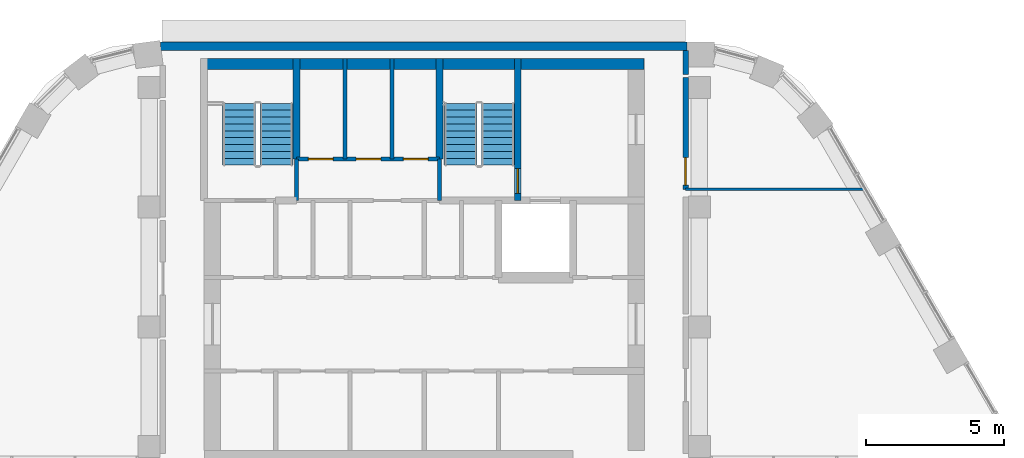
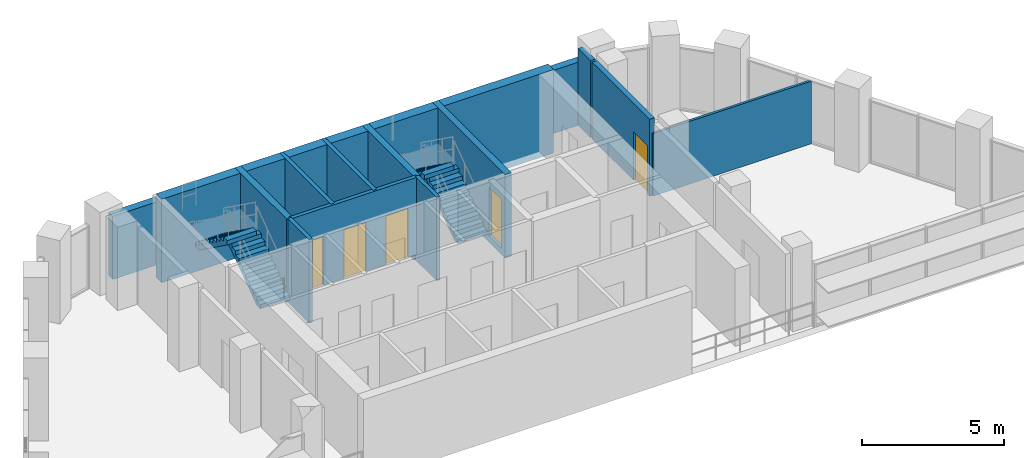
# One storey, part 8 of 10: 13 walls, 5 doors, 4 stair flights, 5 openings, 2 elements without a shape of their own.
"""IFC4 building model written with IfcOpenShell, lengths in metres."""

from ifc_helpers import new_model, si_unit, direction, frame, frame_2d, origin, place, context, subcontext, project, spatial, polyline, rectangle, outline, extrude, material, layer, layer_set, type_object, element, fill, aggregate, save


model = new_model("IFC4")

# Units and contexts
model_context = context("Model", 3, precision=1e-05, world=origin(), true_north=direction((0.0, 1.0)))
body_context = subcontext(model_context, "Body", "Model", "MODEL_VIEW")
ifc_project = project(units=[si_unit("LENGTHUNIT", "METRE"), si_unit("AREAUNIT", "SQUARE_METRE"), si_unit("VOLUMEUNIT", "CUBIC_METRE"), si_unit("PLANEANGLEUNIT", "RADIAN"), si_unit("MASSUNIT", "GRAM", prefix="KILO")], contexts=[model_context])

# Site, building, storey
site_placement = place(None, origin())
site = spatial("IfcSite", under=ifc_project, at=site_placement, CompositionType="ELEMENT")
building_placement = place(site_placement, origin())
building = spatial("IfcBuilding", under=site, at=building_placement, Name="Nakaniwa Court", CompositionType="ELEMENT")
storey_placement = place(building_placement, frame((0.0, 0.0, 290.39990234375)))
storey = spatial("IfcBuildingStorey", under=building, at=storey_placement, Name="C06", CompositionType="ELEMENT", Elevation=290.39990234375)

# Wall, opening, door
ifc_material_1 = material(Name="Acoustic double stud partition")
ifc_layer_1 = layer(ifc_material_1, 0.199951171875)
ifc_layer_set_1 = layer_set([ifc_layer_1], Name="Acoustic double stud partition")
wall_type_1 = type_object("IfcWallType", Name="Acoustic double stud partition 200", PredefinedType="PARTITIONING", material=ifc_layer_set_1)
wall_1_placement = place(storey_placement, frame((89.5, 101.363037109375, 0.0), z_axis=(0.0, 0.0, 1.0), x_axis=(0.0, -1.0, 0.0)))
wall_1 = element("IfcWall", 1, at=wall_1_placement, inside=storey, type_object=wall_type_1, Name="Partition PW-033", PredefinedType="PARTITIONING", context=body_context, shape_type="SweptSolid", body=[
    extrude(rectangle(XDim=4.06591796875, YDim=0.199951171875, at=frame_2d((2.032958984375, 0.0))), origin(), (0.0, 0.0, 1.0), 3.3251953125),
])
opening_1_placement = place(wall_1_placement, frame((2.9130859375, 0.0, 0.0)))
opening_1 = element("IfcOpeningElement", 2, at=opening_1_placement, cuts=wall_1, Name="Opening D-02-01", PredefinedType="OPENING", context=body_context, shape_type="SweptSolid", body=[
    extrude(rectangle(XDim=1.0, YDim=2.10009765625, at=frame_2d((0.5, 1.050048828125))), frame((0.0, 0.10986328125, 0.0), z_axis=(0.0, -1.0, 0.0), x_axis=(1.0, 0.0, 0.0)), (0.0, 0.0, 1.0), 0.219970703125),
])
ifc_material_2 = material(Name="Solid core timber door set, black veneer", Category="wood")
door_type_1 = type_object("IfcDoorType", Name="Internal door 1000", OperationType="NOTDEFINED", PredefinedType="DOOR", material=ifc_material_2)
door_1_placement = place(opening_1_placement, origin())
door_1 = element("IfcDoor", 3, at=door_1_placement, inside=storey, type_object=door_type_1, Name="Door D-02-01 C06-020", OperationType="SINGLE_SWING_LEFT", OverallHeight=2.10009765625, OverallWidth=1.0, PredefinedType="DOOR", context=body_context, shape_type="SweptSolid", body=[
    extrude(rectangle(XDim=1.0, YDim=2.10009765625, at=frame_2d((0.5, 1.050048828125))), frame((0.0, 0.02490234375, 0.0), z_axis=(0.0, -1.0, 0.0), x_axis=(1.0, 0.0, 0.0)), (0.0, 0.0, 1.0), 0.050048828125),
])
fill(opening_1, door_1)

# Walls
wall_2_placement = place(storey_placement, frame((89.5, 101.47705078125, 0.0), z_axis=(0.0, 0.0, 1.0), x_axis=(0.0, 1.0, 0.0)))
element("IfcWall", 4, at=wall_2_placement, inside=storey, type_object=wall_type_1, Name="Partition PW-034", PredefinedType="PARTITIONING", context=body_context, shape_type="SweptSolid", body=[
    extrude(rectangle(XDim=0.873046875, YDim=0.199951171875, at=frame_2d((0.4365234375, 0.0))), origin(), (0.0, 0.0, 1.0), 3.3251953125),
])
ifc_material_3 = material(Name="Charcoal ceramic cladding")
ifc_layer_2 = layer(ifc_material_3, 0.02, Name="Ceramic cladding")
ifc_material_4 = material(Name="Ventilated air cavity")
ifc_layer_3 = layer(ifc_material_4, 0.04, ventilated=True, Name="Ventilated cavity")
ifc_material_5 = material(Name="Mineral wool insulation")
ifc_layer_4 = layer(ifc_material_5, 0.1, Name="Insulation")
ifc_material_6 = material(Name="Cement bonded sheathing board")
ifc_layer_5 = layer(ifc_material_6, 0.012, Name="Sheathing")
ifc_material_7 = material(Name="Cold-formed galvanised stud frame with mineral wool infill")
ifc_layer_6 = layer(ifc_material_7, 0.1, Name="Stud frame")
ifc_material_8 = material(Name="Fire-rated gypsum plasterboard lining")
ifc_layer_7 = layer(ifc_material_8, 0.028, Name="Lining")
ifc_layer_set_2 = layer_set([ifc_layer_2, ifc_layer_3, ifc_layer_4, ifc_layer_5, ifc_layer_6, ifc_layer_7], Name="Charcoal ceramic faced external wall system")
wall_type_2 = type_object("IfcWallType", Name="Black ceramic faced external wall 300", PredefinedType="SOLIDWALL", material=ifc_layer_set_2)
wall_3_placement = place(storey_placement, frame((89.54931640625, 102.5, 0.0), z_axis=(0.0, 0.0, 1.0), x_axis=(-1.0, 0.0, 0.0)))
element("IfcWall", 5, at=wall_3_placement, inside=storey, type_object=wall_type_2, Name="C06 external wall 09", PredefinedType="SOLIDWALL", context=body_context, shape_type="SweptSolid", body=[
    extrude(rectangle(XDim=19.1337890625, YDim=0.300048828125, at=frame_2d((9.56689453125, 0.0))), origin(), (0.0, 0.0, 1.0), 2.72509765625),
])

# Wall, openings, doors
ifc_material_9 = material(Name="Blockwork partition", Category="masonry")
ifc_layer_8 = layer(ifc_material_9, 0.14990234375)
ifc_layer_set_3 = layer_set([ifc_layer_8], Name="Blockwork partition")
wall_type_3 = type_object("IfcWallType", Name="Blockwork partition 150", PredefinedType="PARTITIONING", material=ifc_layer_set_3)
wall_4_placement = place(storey_placement, frame((75.35009765625, 98.39990234375, 0.0), z_axis=(0.0, 0.0, 1.0), x_axis=(1.0, 0.0, 0.0)))
wall_4 = element("IfcWall", 6, at=wall_4_placement, inside=storey, type_object=wall_type_3, Name="Partition PW-028", PredefinedType="PARTITIONING", context=body_context, shape_type="SweptSolid", body=[
    extrude(rectangle(XDim=5.199951171875, YDim=0.14990234375, at=frame_2d((2.60009765625, 0.0))), origin(), (0.0, 0.0, 1.0), 3.3251953125),
])
opening_2_placement = place(wall_4_placement, frame((0.43408203125, 0.0, 0.0)))
opening_2 = element("IfcOpeningElement", 7, at=opening_2_placement, cuts=wall_4, Name="Opening D-05-11", PredefinedType="OPENING", context=body_context, shape_type="SweptSolid", body=[
    extrude(rectangle(XDim=0.89990234375, YDim=2.10009765625, at=frame_2d((0.449951171875, 1.050048828125))), frame((0.0, 0.0849609375, 0.0), z_axis=(0.0, -1.0, 0.0), x_axis=(1.0, 0.0, 0.0)), (0.0, 0.0, 1.0), 0.169921875),
])
opening_3_placement = place(wall_4_placement, frame((2.176025390625, 0.0, 0.0)))
opening_3 = element("IfcOpeningElement", 8, at=opening_3_placement, cuts=wall_4, Name="Opening D-05-12", PredefinedType="OPENING", context=body_context, shape_type="SweptSolid", body=[
    extrude(rectangle(XDim=0.89990234375, YDim=2.10009765625, at=frame_2d((0.449951171875, 1.050048828125))), frame((0.0, 0.0849609375, 0.0), z_axis=(0.0, -1.0, 0.0), x_axis=(1.0, 0.0, 0.0)), (0.0, 0.0, 1.0), 0.169921875),
])
opening_4_placement = place(wall_4_placement, frame((3.89208984375, 0.0, 0.0)))
opening_4 = element("IfcOpeningElement", 9, at=opening_4_placement, cuts=wall_4, Name="Opening D-05-13", PredefinedType="OPENING", context=body_context, shape_type="SweptSolid", body=[
    extrude(rectangle(XDim=0.89990234375, YDim=2.10009765625, at=frame_2d((0.449951171875, 1.050048828125))), frame((0.0, 0.0849609375, 0.0), z_axis=(0.0, -1.0, 0.0), x_axis=(1.0, 0.0, 0.0)), (0.0, 0.0, 1.0), 0.169921875),
])
ifc_material_10 = material(Name="Fire rated steel door set", Category="steel")
door_type_2 = type_object("IfcDoorType", Name="Service room door 900", OperationType="NOTDEFINED", PredefinedType="DOOR", material=ifc_material_10)
door_2_placement = place(opening_2_placement, origin())
door_2 = element("IfcDoor", 10, at=door_2_placement, inside=storey, type_object=door_type_2, Name="Door D-05-11 C06-014", OperationType="SINGLE_SWING_LEFT", OverallHeight=2.10009765625, OverallWidth=0.89990234375, PredefinedType="DOOR", context=body_context, shape_type="SweptSolid", body=[
    extrude(rectangle(XDim=0.89990234375, YDim=2.10009765625, at=frame_2d((0.449951171875, 1.050048828125))), frame((0.0, 0.02490234375, 0.0), z_axis=(0.0, -1.0, 0.0), x_axis=(1.0, 0.0, 0.0)), (0.0, 0.0, 1.0), 0.050048828125),
])
fill(opening_2, door_2)
door_3_placement = place(opening_3_placement, origin())
door_3 = element("IfcDoor", 11, at=door_3_placement, inside=storey, type_object=door_type_2, Name="Door D-05-12 C06-015", OperationType="SINGLE_SWING_RIGHT", OverallHeight=2.10009765625, OverallWidth=0.89990234375, PredefinedType="DOOR", context=body_context, shape_type="SweptSolid", body=[
    extrude(rectangle(XDim=0.89990234375, YDim=2.10009765625, at=frame_2d((0.449951171875, 1.050048828125))), frame((0.0, 0.02490234375, 0.0), z_axis=(0.0, -1.0, 0.0), x_axis=(1.0, 0.0, 0.0)), (0.0, 0.0, 1.0), 0.050048828125),
])
fill(opening_3, door_3)
door_4_placement = place(opening_4_placement, origin())
door_4 = element("IfcDoor", 12, at=door_4_placement, inside=storey, type_object=door_type_2, Name="Door D-05-13 C06-016", OperationType="SINGLE_SWING_LEFT", OverallHeight=2.10009765625, OverallWidth=0.89990234375, PredefinedType="DOOR", context=body_context, shape_type="SweptSolid", body=[
    extrude(rectangle(XDim=0.89990234375, YDim=2.10009765625, at=frame_2d((0.449951171875, 1.050048828125))), frame((0.0, 0.02490234375, 0.0), z_axis=(0.0, -1.0, 0.0), x_axis=(1.0, 0.0, 0.0)), (0.0, 0.0, 1.0), 0.050048828125),
])
fill(opening_4, door_4)

# Walls
for number, where, z_axis, x_axis, name in (
    (13, (77.117919921875, 98.39990234375, 0.0), (0.0, 0.0, 1.0), (0.0, 1.0, 0.0), "Partition PW-029"),
    (14, (78.833984375, 98.39990234375, 0.0), (0.0, 0.0, 1.0), (0.0, 1.0, 0.0), "Partition PW-030"),
):
    element("IfcWall", number, at=place(storey_placement, frame(where, z_axis=z_axis, x_axis=x_axis)), inside=storey, type_object=wall_type_3, Name=name, PredefinedType="PARTITIONING", context=body_context, shape_type="SweptSolid", body=[
        extrude(rectangle(XDim=3.650146484375, YDim=0.14990234375, at=frame_2d((1.8251953125, 0.0))), origin(), (0.0, 0.0, 1.0), 3.3251953125),
    ])
ifc_material_11 = material(Name="Concrete C80/100", Category="concrete")
ifc_layer_9 = layer(ifc_material_11, 0.14990234375)
ifc_layer_set_4 = layer_set([ifc_layer_9], Name="Concrete C80/100")
wall_type_4 = type_object("IfcWallType", Name="Concrete core wall 150 C80", PredefinedType="SHEAR", material=ifc_layer_set_4)
for number, where, z_axis, x_axis, name in (
    (15, (75.35009765625, 96.89990234375, -0.27490234375), (0.0, 0.0, 1.0), (0.0, 1.0, 0.0), "Core wall SW-22"),
    (16, (80.550048828125, 96.89990234375, -0.27490234375), (0.0, 0.0, 1.0), (0.0, 1.0, 0.0), "Core wall SW-26"),
):
    element("IfcWall", number, at=place(storey_placement, frame(where, z_axis=z_axis, x_axis=x_axis)), inside=storey, type_object=wall_type_4, Name=name, PredefinedType="SHEAR", context=body_context, shape_type="SweptSolid", body=[
        extrude(rectangle(XDim=1.503173828125, YDim=0.14990234375, at=frame_2d((0.75146484375, 0.0))), origin(), (0.0, 0.0, 1.0), 3.60009765625),
    ])
ifc_layer_10 = layer(ifc_material_11, 0.39990234375)
ifc_layer_set_5 = layer_set([ifc_layer_10], Name="Concrete C80/100")
wall_type_5 = type_object("IfcWallType", Name="Concrete core wall 400 C80", PredefinedType="SHEAR", material=ifc_layer_set_5)
wall_5_placement = place(storey_placement, frame((72.00390625, 101.85009765625, -0.27490234375), z_axis=(0.0, 0.0, 1.0), x_axis=(1.0, 0.0, 0.0)))
element("IfcWall", 17, at=wall_5_placement, inside=storey, type_object=wall_type_5, Name="Core wall SW-43", PredefinedType="SHEAR", context=body_context, shape_type="SweptSolid", body=[
    extrude(rectangle(XDim=15.9921875, YDim=0.39990234375, at=frame_2d((7.99609375, 0.0))), origin(), (0.0, 0.0, 1.0), 3.60009765625),
])
ifc_layer_11 = layer(ifc_material_11, 0.25)
ifc_layer_set_6 = layer_set([ifc_layer_11], Name="Concrete C80/100")
wall_type_6 = type_object("IfcWallType", Name="Concrete shaft wall 250 C80", PredefinedType="SHEAR", material=ifc_layer_set_6)
wall_6_placement = place(storey_placement, frame((75.35009765625, 98.39697265625, -0.27490234375), z_axis=(0.0, 0.0, 1.0), x_axis=(0.0, 1.0, 0.0)))
element("IfcWall", 18, at=wall_6_placement, inside=storey, type_object=wall_type_6, Name="Core wall SW-23", PredefinedType="SHEAR", context=body_context, shape_type="SweptSolid", body=[
    extrude(rectangle(XDim=3.653076171875, YDim=0.25, at=frame_2d((1.82666015625, 0.0))), origin(), (0.0, 0.0, 1.0), 3.60009765625),
])

# Wall, opening, door
wall_7_placement = place(storey_placement, frame((83.39990234375, 102.050048828125, -0.27490234375), z_axis=(0.0, 0.0, 1.0), x_axis=(0.0, -1.0, 0.0)))
wall_7 = element("IfcWall", 19, at=wall_7_placement, inside=storey, type_object=wall_type_6, Name="Core wall SW-25", PredefinedType="SHEAR", context=body_context, shape_type="SweptSolid", body=[
    extrude(rectangle(XDim=5.150146484375, YDim=0.25, at=frame_2d((2.5751953125, 0.0))), origin(), (0.0, 0.0, 1.0), 3.60009765625),
])
opening_5_placement = place(wall_7_placement, frame((4.0, 0.0, 0.27490234375)))
opening_5 = element("IfcOpeningElement", 20, at=opening_5_placement, cuts=wall_7, Name="Opening D-11-01", PredefinedType="OPENING", context=body_context, shape_type="SweptSolid", body=[
    extrude(rectangle(XDim=0.89990234375, YDim=2.10009765625, at=frame_2d((0.449951171875, 1.050048828125))), frame((0.0, 0.135009765625, 0.0), z_axis=(0.0, -1.0, 0.0), x_axis=(1.0, 0.0, 0.0)), (0.0, 0.0, 1.0), 0.27001953125),
])
door_type_3 = type_object("IfcDoorType", Name="Stair door 900", OperationType="NOTDEFINED", PredefinedType="DOOR", material=ifc_material_10)
door_5_placement = place(opening_5_placement, origin())
door_5 = element("IfcDoor", 21, at=door_5_placement, inside=storey, type_object=door_type_3, Name="Door D-11-01 C06-018", OperationType="SINGLE_SWING_RIGHT", OverallHeight=2.10009765625, OverallWidth=0.89990234375, PredefinedType="DOOR", context=body_context, shape_type="SweptSolid", body=[
    extrude(rectangle(XDim=0.89990234375, YDim=2.10009765625, at=frame_2d((0.449951171875, 1.050048828125))), frame((0.0, 0.02490234375, 0.0), z_axis=(0.0, -1.0, 0.0), x_axis=(1.0, 0.0, 0.0)), (0.0, 0.0, 1.0), 0.050048828125),
])
fill(opening_5, door_5)

# Walls
wall_8_placement = place(storey_placement, frame((80.550048828125, 98.39697265625, -0.27490234375), z_axis=(0.0, 0.0, 1.0), x_axis=(0.0, 1.0, 0.0)))
element("IfcWall", 22, at=wall_8_placement, inside=storey, type_object=wall_type_6, Name="Core wall SW-27", PredefinedType="SHEAR", context=body_context, shape_type="SweptSolid", body=[
    extrude(rectangle(XDim=3.653076171875, YDim=0.25, at=frame_2d((1.82666015625, 0.0))), origin(), (0.0, 0.0, 1.0), 3.60009765625),
])
ifc_material_12 = material(Name="Single stud plasterboard partition")
ifc_layer_12 = layer(ifc_material_12, 0.10009765625)
ifc_layer_set_7 = layer_set([ifc_layer_12], Name="Single stud plasterboard partition")
wall_type_7 = type_object("IfcWallType", Name="Single stud plasterboard partition 100", PredefinedType="PARTITIONING", material=ifc_layer_set_7)
wall_9_placement = place(storey_placement, frame((89.5, 97.300048828125, 0.0), z_axis=(0.0, 0.0, 1.0), x_axis=(1.0, 0.0, 0.0)))
element("IfcWall", 23, at=wall_9_placement, inside=storey, type_object=wall_type_7, Name="Partition PW-035", PredefinedType="PARTITIONING", context=body_context, shape_type="SweptSolid", body=[
    extrude(rectangle(XDim=6.462646484375, YDim=0.10009765625, at=frame_2d((3.2314453125, 0.0))), origin(), (0.0, 0.0, 1.0), 2.705078125),
])

# Stair, stair flights
stair_type = type_object("IfcStairType", Name="Dog leg stair 1200 wide 20 risers", PredefinedType="HALF_TURN_STAIR", material=ifc_material_11)
stair_1_placement = place(storey_placement, origin())
stair_1 = element("IfcStair", 24, at=stair_1_placement, inside=storey, type_object=stair_type, Name="C06 Stair ST1", PredefinedType="HALF_TURN_STAIR")
stair_flight_type = type_object("IfcStairFlightType", Name="Stair flight 1200 wide 10 risers", PredefinedType="STRAIGHT", material=ifc_material_11)
stair_flight_1_placement = place(storey_placement, frame((74.625, 98.175048828125, 0.0), z_axis=(0.0, 0.0, 1.0), x_axis=(0.0, 1.0, 0.0)))
stair_flight_1 = element("IfcStairFlight", 25, at=stair_flight_1_placement, type_object=stair_flight_type, Name="ST1 flight 1", NumberOfRisers=10, NumberOfTreads=9, PredefinedType="STRAIGHT", RiserHeight=0.18, TreadLength=0.25, context=body_context, shape_type="SweptSolid", body=[
    extrude(outline(polyline([(0.0, 0.0), (0.0, 0.025634765625), (0.0, 0.051513671875), (0.0, 0.0771484375), (0.0, 0.102783203125), (0.0, 0.128662109375), (0.0, 0.154296875), (0.0, 0.179931640625), (0.25, 0.179931640625), (0.25, 0.360107421875), (0.5, 0.360107421875), (0.5, 0.5400390625), (0.75, 0.5400390625), (0.75, 0.719970703125), (1.0, 0.719970703125), (1.0, 0.89990234375), (1.25, 0.89990234375), (1.25, 1.080078125), (1.5, 1.080078125), (1.5, 1.260009765625), (1.75, 1.260009765625), (1.75, 1.43994140625), (2.0, 1.43994140625), (2.0, 1.6201171875), (2.25, 1.6201171875), (2.25, 1.800048828125), (2.25, 1.747802734375), (2.25, 1.69580078125), (2.25, 1.643798828125), (2.25, 1.591552734375), (2.25, 1.53955078125), (2.25, 1.4873046875), (2.25, 1.435302734375), (0.256591796875, 0.0), (0.0, 0.0)])), frame((0.0, 0.60009765625, 0.0), z_axis=(0.0, -1.0, 0.0), x_axis=(1.0, 0.0, 0.0)), (0.0, 0.0, 1.0), 1.199951171875),
])
stair_flight_2_placement = place(storey_placement, frame((73.27490234375, 100.425048828125, 1.800048828125), z_axis=(0.0, 0.0, 1.0), x_axis=(0.0, -1.0, 0.0)))
stair_flight_2 = element("IfcStairFlight", 26, at=stair_flight_2_placement, type_object=stair_flight_type, Name="ST1 flight 2", NumberOfRisers=10, NumberOfTreads=9, PredefinedType="STRAIGHT", RiserHeight=0.18, TreadLength=0.25, context=body_context, shape_type="SweptSolid", body=[
    extrude(outline(polyline([(0.0, 0.0), (0.0, 0.025634765625), (0.0, 0.051513671875), (0.0, 0.0771484375), (0.0, 0.102783203125), (0.0, 0.128662109375), (0.0, 0.154296875), (0.0, 0.179931640625), (0.25, 0.179931640625), (0.25, 0.360107421875), (0.5, 0.360107421875), (0.5, 0.5400390625), (0.75, 0.5400390625), (0.75, 0.719970703125), (1.0, 0.719970703125), (1.0, 0.89990234375), (1.25, 0.89990234375), (1.25, 1.080078125), (1.5, 1.080078125), (1.5, 1.260009765625), (1.75, 1.260009765625), (1.75, 1.43994140625), (2.0, 1.43994140625), (2.0, 1.6201171875), (2.25, 1.6201171875), (2.25, 1.800048828125), (2.25, 1.747802734375), (2.25, 1.69580078125), (2.25, 1.643798828125), (2.25, 1.591552734375), (2.25, 1.53955078125), (2.25, 1.4873046875), (2.25, 1.435302734375), (0.256591796875, 0.0), (0.0, 0.0)])), frame((0.0, 0.60009765625, 0.0), z_axis=(0.0, -1.0, 0.0), x_axis=(1.0, 0.0, 0.0)), (0.0, 0.0, 1.0), 1.199951171875),
])
aggregate(stair_1, [stair_flight_1, stair_flight_2])

stair_2_placement = place(storey_placement, origin())
stair_2 = element("IfcStair", 27, at=stair_2_placement, inside=storey, type_object=stair_type, Name="C06 Stair ST2", PredefinedType="HALF_TURN_STAIR")
stair_flight_3_placement = place(storey_placement, frame((82.675048828125, 98.175048828125, 0.0), z_axis=(0.0, 0.0, 1.0), x_axis=(0.0, 1.0, 0.0)))
stair_flight_3 = element("IfcStairFlight", 28, at=stair_flight_3_placement, type_object=stair_flight_type, Name="ST2 flight 1", NumberOfRisers=10, NumberOfTreads=9, PredefinedType="STRAIGHT", RiserHeight=0.18, TreadLength=0.25, context=body_context, shape_type="SweptSolid", body=[
    extrude(outline(polyline([(0.0, 0.0), (0.0, 0.025634765625), (0.0, 0.051513671875), (0.0, 0.0771484375), (0.0, 0.102783203125), (0.0, 0.128662109375), (0.0, 0.154296875), (0.0, 0.179931640625), (0.25, 0.179931640625), (0.25, 0.360107421875), (0.5, 0.360107421875), (0.5, 0.5400390625), (0.75, 0.5400390625), (0.75, 0.719970703125), (1.0, 0.719970703125), (1.0, 0.89990234375), (1.25, 0.89990234375), (1.25, 1.080078125), (1.5, 1.080078125), (1.5, 1.260009765625), (1.75, 1.260009765625), (1.75, 1.43994140625), (2.0, 1.43994140625), (2.0, 1.6201171875), (2.25, 1.6201171875), (2.25, 1.800048828125), (2.25, 1.747802734375), (2.25, 1.69580078125), (2.25, 1.643798828125), (2.25, 1.591552734375), (2.25, 1.53955078125), (2.25, 1.4873046875), (2.25, 1.435302734375), (0.256591796875, 0.0), (0.0, 0.0)])), frame((0.0, 0.60009765625, 0.0), z_axis=(0.0, -1.0, 0.0), x_axis=(1.0, 0.0, 0.0)), (0.0, 0.0, 1.0), 1.199951171875),
])
stair_flight_4_placement = place(storey_placement, frame((81.324951171875, 100.425048828125, 1.800048828125), z_axis=(0.0, 0.0, 1.0), x_axis=(0.0, -1.0, 0.0)))
stair_flight_4 = element("IfcStairFlight", 29, at=stair_flight_4_placement, type_object=stair_flight_type, Name="ST2 flight 2", NumberOfRisers=10, NumberOfTreads=9, PredefinedType="STRAIGHT", RiserHeight=0.18, TreadLength=0.25, context=body_context, shape_type="SweptSolid", body=[
    extrude(outline(polyline([(0.0, 0.0), (0.0, 0.025634765625), (0.0, 0.051513671875), (0.0, 0.0771484375), (0.0, 0.102783203125), (0.0, 0.128662109375), (0.0, 0.154296875), (0.0, 0.179931640625), (0.25, 0.179931640625), (0.25, 0.360107421875), (0.5, 0.360107421875), (0.5, 0.5400390625), (0.75, 0.5400390625), (0.75, 0.719970703125), (1.0, 0.719970703125), (1.0, 0.89990234375), (1.25, 0.89990234375), (1.25, 1.080078125), (1.5, 1.080078125), (1.5, 1.260009765625), (1.75, 1.260009765625), (1.75, 1.43994140625), (2.0, 1.43994140625), (2.0, 1.6201171875), (2.25, 1.6201171875), (2.25, 1.800048828125), (2.25, 1.747802734375), (2.25, 1.69580078125), (2.25, 1.643798828125), (2.25, 1.591552734375), (2.25, 1.53955078125), (2.25, 1.4873046875), (2.25, 1.435302734375), (0.256591796875, 0.0), (0.0, 0.0)])), frame((0.0, 0.60009765625, 0.0), z_axis=(0.0, -1.0, 0.0), x_axis=(1.0, 0.0, 0.0)), (0.0, 0.0, 1.0), 1.199951171875),
])
aggregate(stair_2, [stair_flight_3, stair_flight_4])

save(model, "model.ifc")
